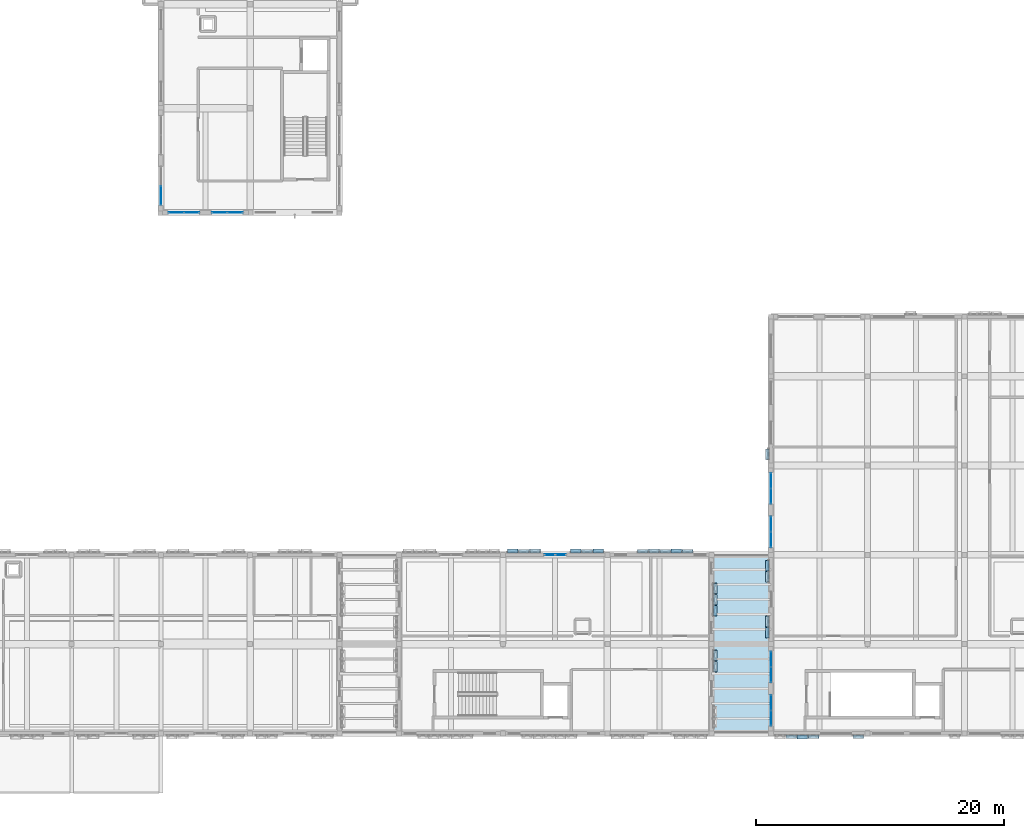
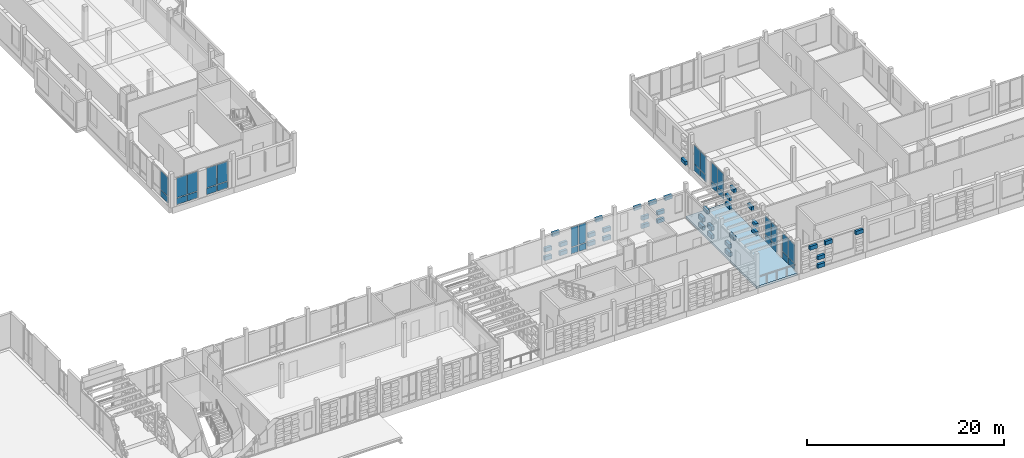
# One storey, part 49 of 99: 67 plates, 1 slab, 8 elements without a shape of their own.
"""IFC4 building model written with IfcOpenShell, lengths in metres."""

from ifc_helpers import new_model, si_unit, direction, frame, origin, origin_2d, place, context, subcontext, project, spatial, polyline, rectangle, outline, extrude, material, layer, layer_set, type_object, element, aggregate, save


model = new_model("IFC4")

# Units and contexts
model_context = context("Model", 3, precision=1e-05, world=origin(), true_north=direction((0.0, 1.0)))
body_context = subcontext(model_context, "Body", "Model", "MODEL_VIEW")
ifc_project = project(units=[si_unit("LENGTHUNIT", "METRE"), si_unit("AREAUNIT", "SQUARE_METRE"), si_unit("VOLUMEUNIT", "CUBIC_METRE"), si_unit("PLANEANGLEUNIT", "RADIAN"), si_unit("MASSUNIT", "GRAM", prefix="KILO")], contexts=[model_context])

# Site, building, storey
site_placement = place(None, origin())
site = spatial("IfcSite", under=ifc_project, at=site_placement, CompositionType="ELEMENT")
building_placement = place(site_placement, origin())
building = spatial("IfcBuilding", under=site, at=building_placement, Name="Kahlenmark Community Centre", CompositionType="ELEMENT")
storey_placement = place(building_placement, frame((0.0, 0.0, 5.39990234375)))
storey = spatial("IfcBuildingStorey", under=building, at=storey_placement, Name="L01", CompositionType="ELEMENT", Elevation=5.39990234375)

# Curtain wall, plates
ifc_material_1 = material(Name="Anodised aluminium unitised curtain wall", Category="aluminium")
curtain_wall_type_1 = type_object("IfcCurtainWallType", Name="CWT-UNIT-254X321", PredefinedType="USERDEFINED", material=ifc_material_1)
curtain_wall_1_placement = place(storey_placement, origin())
curtain_wall_1 = element("IfcCurtainWall", 1, at=curtain_wall_1_placement, inside=storey, type_object=curtain_wall_type_1, Name="Unitised curtain wall CW-052", ObjectType="UNITISED CURTAIN WALL", PredefinedType="USERDEFINED")
ifc_material_2 = material(Name="Triple low-e solar-control glass unit", Category="glass")
ifc_layer_1 = layer(ifc_material_2, 0.0439453125)
ifc_layer_set_1 = layer_set([ifc_layer_1], Name="Triple low-e solar-control glass unit")
plate_type_1 = type_object("IfcPlateType", Name="PLT-CW-GLZ-1190X2280", PredefinedType="CURTAIN_PANEL", material=ifc_layer_set_1)
plate_1_placement = place(storey_placement, frame((121.60009765625, 14.784912109375, 0.89013671875), z_axis=(0.0, 0.0, 1.0), x_axis=(0.0, -1.0, 0.0)))
plate_1 = element("IfcPlate", 2, at=plate_1_placement, type_object=plate_type_1, Name="CW-052 glazed panel 1", PredefinedType="CURTAIN_PANEL", context=body_context, shape_type="SweptSolid", body=[
    extrude(rectangle(XDim=1.18994140625, YDim=0.0439453125, at=origin_2d()), origin(), (0.0, 0.0, 1.0), 2.280029296875),
])
plate_2_placement = place(storey_placement, frame((121.60009765625, 13.514892578125, 0.89013671875), z_axis=(0.0, 0.0, 1.0), x_axis=(0.0, -1.0, 0.0)))
plate_2 = element("IfcPlate", 3, at=plate_2_placement, type_object=plate_type_1, Name="CW-052 glazed panel 2", PredefinedType="CURTAIN_PANEL", context=body_context, shape_type="SweptSolid", body=[
    extrude(rectangle(XDim=1.18994140625, YDim=0.0439453125, at=origin_2d()), origin(), (0.0, 0.0, 1.0), 2.280029296875),
])

curtain_wall_2_placement = place(storey_placement, origin())
curtain_wall_2 = element("IfcCurtainWall", 4, at=curtain_wall_2_placement, inside=storey, type_object=curtain_wall_type_1, Name="Unitised curtain wall CW-053", ObjectType="UNITISED CURTAIN WALL", PredefinedType="USERDEFINED")
plate_3_placement = place(storey_placement, frame((121.60009765625, 11.284912109375, 0.89013671875), z_axis=(0.0, 0.0, 1.0), x_axis=(0.0, -1.0, 0.0)))
plate_3 = element("IfcPlate", 5, at=plate_3_placement, type_object=plate_type_1, Name="CW-053 glazed panel 1", PredefinedType="CURTAIN_PANEL", context=body_context, shape_type="SweptSolid", body=[
    extrude(rectangle(XDim=1.18994140625, YDim=0.0439453125, at=origin_2d()), origin(), (0.0, 0.0, 1.0), 2.280029296875),
])
plate_4_placement = place(storey_placement, frame((121.60009765625, 10.014892578125, 0.89013671875), z_axis=(0.0, 0.0, 1.0), x_axis=(0.0, -1.0, 0.0)))
plate_4 = element("IfcPlate", 6, at=plate_4_placement, type_object=plate_type_1, Name="CW-053 glazed panel 2", PredefinedType="CURTAIN_PANEL", context=body_context, shape_type="SweptSolid", body=[
    extrude(rectangle(XDim=1.18994140625, YDim=0.0439453125, at=origin_2d()), origin(), (0.0, 0.0, 1.0), 2.280029296875),
])

curtain_wall_3_placement = place(storey_placement, origin())
curtain_wall_3 = element("IfcCurtainWall", 7, at=curtain_wall_3_placement, inside=storey, type_object=curtain_wall_type_1, Name="Unitised curtain wall CW-056", ObjectType="UNITISED CURTAIN WALL", PredefinedType="USERDEFINED")
plate_5_placement = place(storey_placement, frame((121.60009765625, 29.18505859375, 0.89013671875), z_axis=(0.0, 0.0, 1.0), x_axis=(0.0, -1.0, 0.0)))
plate_5 = element("IfcPlate", 8, at=plate_5_placement, type_object=plate_type_1, Name="CW-056 glazed panel 1", PredefinedType="CURTAIN_PANEL", context=body_context, shape_type="SweptSolid", body=[
    extrude(rectangle(XDim=1.18994140625, YDim=0.0439453125, at=origin_2d()), origin(), (0.0, 0.0, 1.0), 2.280029296875),
])
plate_6_placement = place(storey_placement, frame((121.60009765625, 27.9150390625, 0.89013671875), z_axis=(0.0, 0.0, 1.0), x_axis=(0.0, -1.0, 0.0)))
plate_6 = element("IfcPlate", 9, at=plate_6_placement, type_object=plate_type_1, Name="CW-056 glazed panel 2", PredefinedType="CURTAIN_PANEL", context=body_context, shape_type="SweptSolid", body=[
    extrude(rectangle(XDim=1.18994140625, YDim=0.0439453125, at=origin_2d()), origin(), (0.0, 0.0, 1.0), 2.280029296875),
])

curtain_wall_4_placement = place(storey_placement, origin())
curtain_wall_4 = element("IfcCurtainWall", 10, at=curtain_wall_4_placement, inside=storey, type_object=curtain_wall_type_1, Name="Unitised curtain wall CW-057", ObjectType="UNITISED CURTAIN WALL", PredefinedType="USERDEFINED")
plate_7_placement = place(storey_placement, frame((121.60009765625, 25.68505859375, 0.89013671875), z_axis=(0.0, 0.0, 1.0), x_axis=(0.0, -1.0, 0.0)))
plate_7 = element("IfcPlate", 11, at=plate_7_placement, type_object=plate_type_1, Name="CW-057 glazed panel 1", PredefinedType="CURTAIN_PANEL", context=body_context, shape_type="SweptSolid", body=[
    extrude(rectangle(XDim=1.18994140625, YDim=0.0439453125, at=origin_2d()), origin(), (0.0, 0.0, 1.0), 2.280029296875),
])
plate_8_placement = place(storey_placement, frame((121.60009765625, 24.4150390625, 0.89013671875), z_axis=(0.0, 0.0, 1.0), x_axis=(0.0, -1.0, 0.0)))
plate_8 = element("IfcPlate", 12, at=plate_8_placement, type_object=plate_type_1, Name="CW-057 glazed panel 2", PredefinedType="CURTAIN_PANEL", context=body_context, shape_type="SweptSolid", body=[
    extrude(rectangle(XDim=1.18994140625, YDim=0.0439453125, at=origin_2d()), origin(), (0.0, 0.0, 1.0), 2.280029296875),
])

curtain_wall_type_2 = type_object("IfcCurtainWallType", Name="CWT-UNIT-254X337", PredefinedType="USERDEFINED", material=ifc_material_1)
curtain_wall_5_placement = place(storey_placement, origin())
curtain_wall_5 = element("IfcCurtainWall", 13, at=curtain_wall_5_placement, inside=storey, type_object=curtain_wall_type_2, Name="Unitised curtain wall CW-040", ObjectType="UNITISED CURTAIN WALL", PredefinedType="USERDEFINED")
ifc_layer_2 = layer(ifc_material_2, 0.0439453125)
ifc_layer_set_2 = layer_set([ifc_layer_2], Name="Triple low-e solar-control glass unit")
plate_type_2 = type_object("IfcPlateType", Name="PLT-CW-GLZ-1190X2440", PredefinedType="CURTAIN_PANEL", material=ifc_layer_set_2)
plate_9_placement = place(storey_placement, frame((73.614990234375, 50.800048828125, 0.89013671875), z_axis=(0.0, 0.0, 1.0), x_axis=(1.0, 0.0, 0.0)))
plate_9 = element("IfcPlate", 14, at=plate_9_placement, type_object=plate_type_2, Name="CW-040 glazed panel 1", PredefinedType="CURTAIN_PANEL", context=body_context, shape_type="SweptSolid", body=[
    extrude(rectangle(XDim=1.18994140625, YDim=0.0439453125, at=origin_2d()), origin(), (0.0, 0.0, 1.0), 2.43994140625),
])
plate_10_placement = place(storey_placement, frame((74.885009765625, 50.800048828125, 0.89013671875), z_axis=(0.0, 0.0, 1.0), x_axis=(1.0, 0.0, 0.0)))
plate_10 = element("IfcPlate", 15, at=plate_10_placement, type_object=plate_type_2, Name="CW-040 glazed panel 2", PredefinedType="CURTAIN_PANEL", context=body_context, shape_type="SweptSolid", body=[
    extrude(rectangle(XDim=1.18994140625, YDim=0.0439453125, at=origin_2d()), origin(), (0.0, 0.0, 1.0), 2.43994140625),
])

curtain_wall_6_placement = place(storey_placement, origin())
curtain_wall_6 = element("IfcCurtainWall", 16, at=curtain_wall_6_placement, inside=storey, type_object=curtain_wall_type_2, Name="Unitised curtain wall CW-041", ObjectType="UNITISED CURTAIN WALL", PredefinedType="USERDEFINED")
plate_11_placement = place(storey_placement, frame((77.114990234375, 50.800048828125, 0.89013671875), z_axis=(0.0, 0.0, 1.0), x_axis=(1.0, 0.0, 0.0)))
plate_11 = element("IfcPlate", 17, at=plate_11_placement, type_object=plate_type_2, Name="CW-041 glazed panel 1", PredefinedType="CURTAIN_PANEL", context=body_context, shape_type="SweptSolid", body=[
    extrude(rectangle(XDim=1.18994140625, YDim=0.0439453125, at=origin_2d()), origin(), (0.0, 0.0, 1.0), 2.43994140625),
])
plate_12_placement = place(storey_placement, frame((78.385009765625, 50.800048828125, 0.89013671875), z_axis=(0.0, 0.0, 1.0), x_axis=(1.0, 0.0, 0.0)))
plate_12 = element("IfcPlate", 18, at=plate_12_placement, type_object=plate_type_2, Name="CW-041 glazed panel 2", PredefinedType="CURTAIN_PANEL", context=body_context, shape_type="SweptSolid", body=[
    extrude(rectangle(XDim=1.18994140625, YDim=0.0439453125, at=origin_2d()), origin(), (0.0, 0.0, 1.0), 2.43994140625),
])

# Curtain wall, plate
curtain_wall_type_3 = type_object("IfcCurtainWallType", Name="CWT-UNIT-314X325", PredefinedType="USERDEFINED", material=ifc_material_1)
curtain_wall_7_placement = place(storey_placement, origin())
curtain_wall_7 = element("IfcCurtainWall", 19, at=curtain_wall_7_placement, inside=storey, type_object=curtain_wall_type_3, Name="Unitised curtain wall CW-043", ObjectType="UNITISED CURTAIN WALL", PredefinedType="USERDEFINED")
ifc_layer_3 = layer(ifc_material_2, 0.0439453125)
ifc_layer_set_3 = layer_set([ifc_layer_3], Name="Triple low-e solar-control glass unit")
plate_type_3 = type_object("IfcPlateType", Name="PLT-CW-GLZ-1490X2320", PredefinedType="CURTAIN_PANEL", material=ifc_layer_set_3)
plate_13_placement = place(storey_placement, frame((72.39990234375, 52.1650390625, 0.89013671875), z_axis=(0.0, 0.0, 1.0), x_axis=(0.0, -1.0, 0.0)))
plate_13 = element("IfcPlate", 20, at=plate_13_placement, type_object=plate_type_3, Name="CW-043 glazed panel 2", PredefinedType="CURTAIN_PANEL", context=body_context, shape_type="SweptSolid", body=[
    extrude(rectangle(XDim=1.489990234375, YDim=0.0439453125, at=origin_2d()), origin(), (0.0, 0.0, 1.0), 2.320068359375),
])

# Curtain wall, plates
curtain_wall_type_4 = type_object("IfcCurtainWallType", Name="CWT-UNIT-180X337", PredefinedType="USERDEFINED", material=ifc_material_1)
curtain_wall_8_placement = place(storey_placement, origin())
curtain_wall_8 = element("IfcCurtainWall", 21, at=curtain_wall_8_placement, inside=storey, type_object=curtain_wall_type_4, Name="Unitised curtain wall CW-048", ObjectType="UNITISED CURTAIN WALL", PredefinedType="USERDEFINED")
ifc_layer_4 = layer(ifc_material_2, 0.0439453125)
ifc_layer_set_4 = layer_set([ifc_layer_4], Name="Triple low-e solar-control glass unit")
plate_type_4 = type_object("IfcPlateType", Name="PLT-CW-GLZ-820X2440", PredefinedType="CURTAIN_PANEL", material=ifc_layer_set_4)
plate_14_placement = place(storey_placement, frame((104.64990234375, 23.199951171875, 0.89013671875), z_axis=(0.0, 0.0, 1.0), x_axis=(-1.0, 0.0, 0.0)))
plate_14 = element("IfcPlate", 22, at=plate_14_placement, type_object=plate_type_4, Name="CW-048 glazed panel 1", PredefinedType="CURTAIN_PANEL", context=body_context, shape_type="SweptSolid", body=[
    extrude(rectangle(XDim=0.820068359375, YDim=0.0439453125, at=origin_2d()), origin(), (0.0, 0.0, 1.0), 2.43994140625),
])
plate_15_placement = place(storey_placement, frame((103.75, 23.199951171875, 0.89013671875), z_axis=(0.0, 0.0, 1.0), x_axis=(-1.0, 0.0, 0.0)))
plate_15 = element("IfcPlate", 23, at=plate_15_placement, type_object=plate_type_4, Name="CW-048 glazed panel 2", PredefinedType="CURTAIN_PANEL", context=body_context, shape_type="SweptSolid", body=[
    extrude(rectangle(XDim=0.820068359375, YDim=0.0439453125, at=origin_2d()), origin(), (0.0, 0.0, 1.0), 2.43994140625),
])

# Plate
ifc_material_3 = material(Name="Warm terracotta insulated spandrel cassette", Category="masonry")
ifc_layer_5 = layer(ifc_material_3, 0.06005859375)
ifc_layer_set_5 = layer_set([ifc_layer_5], Name="Warm terracotta insulated spandrel cassette")
plate_type_5 = type_object("IfcPlateType", Name="PLT-CW-SPD-1190X770", PredefinedType="CURTAIN_PANEL", material=ifc_layer_set_5)
plate_16_placement = place(storey_placement, frame((73.614990234375, 50.800048828125, 0.0400390625), z_axis=(0.0, 0.0, 1.0), x_axis=(1.0, 0.0, 0.0)))
plate_16 = element("IfcPlate", 24, at=plate_16_placement, type_object=plate_type_5, Name="CW-040 spandrel 1", PredefinedType="CURTAIN_PANEL", context=body_context, shape_type="SweptSolid", body=[
    extrude(rectangle(XDim=1.18994140625, YDim=0.06005859375, at=origin_2d()), origin(), (0.0, 0.0, 1.0), 0.77001953125),
])

plate_17_placement = place(storey_placement, frame((74.885009765625, 50.800048828125, 0.0400390625), z_axis=(0.0, 0.0, 1.0), x_axis=(1.0, 0.0, 0.0)))
plate_17 = element("IfcPlate", 25, at=plate_17_placement, type_object=plate_type_5, Name="CW-040 spandrel 2", PredefinedType="CURTAIN_PANEL", context=body_context, shape_type="SweptSolid", body=[
    extrude(rectangle(XDim=1.18994140625, YDim=0.06005859375, at=origin_2d()), origin(), (0.0, 0.0, 1.0), 0.77001953125),
])

aggregate(curtain_wall_5, [plate_16, plate_9, plate_17, plate_10])

plate_18_placement = place(storey_placement, frame((77.114990234375, 50.800048828125, 0.0400390625), z_axis=(0.0, 0.0, 1.0), x_axis=(1.0, 0.0, 0.0)))
plate_18 = element("IfcPlate", 26, at=plate_18_placement, type_object=plate_type_5, Name="CW-041 spandrel 1", PredefinedType="CURTAIN_PANEL", context=body_context, shape_type="SweptSolid", body=[
    extrude(rectangle(XDim=1.18994140625, YDim=0.06005859375, at=origin_2d()), origin(), (0.0, 0.0, 1.0), 0.77001953125),
])

plate_19_placement = place(storey_placement, frame((78.385009765625, 50.800048828125, 0.0400390625), z_axis=(0.0, 0.0, 1.0), x_axis=(1.0, 0.0, 0.0)))
plate_19 = element("IfcPlate", 27, at=plate_19_placement, type_object=plate_type_5, Name="CW-041 spandrel 2", PredefinedType="CURTAIN_PANEL", context=body_context, shape_type="SweptSolid", body=[
    extrude(rectangle(XDim=1.18994140625, YDim=0.06005859375, at=origin_2d()), origin(), (0.0, 0.0, 1.0), 0.77001953125),
])

aggregate(curtain_wall_6, [plate_18, plate_11, plate_19, plate_12])

plate_20_placement = place(storey_placement, frame((121.60009765625, 14.784912109375, 0.0400390625), z_axis=(0.0, 0.0, 1.0), x_axis=(0.0, -1.0, 0.0)))
plate_20 = element("IfcPlate", 28, at=plate_20_placement, type_object=plate_type_5, Name="CW-052 spandrel 1", PredefinedType="CURTAIN_PANEL", context=body_context, shape_type="SweptSolid", body=[
    extrude(rectangle(XDim=1.18994140625, YDim=0.06005859375, at=origin_2d()), origin(), (0.0, 0.0, 1.0), 0.77001953125),
])

plate_21_placement = place(storey_placement, frame((121.60009765625, 13.514892578125, 0.0400390625), z_axis=(0.0, 0.0, 1.0), x_axis=(0.0, -1.0, 0.0)))
plate_21 = element("IfcPlate", 29, at=plate_21_placement, type_object=plate_type_5, Name="CW-052 spandrel 2", PredefinedType="CURTAIN_PANEL", context=body_context, shape_type="SweptSolid", body=[
    extrude(rectangle(XDim=1.18994140625, YDim=0.06005859375, at=origin_2d()), origin(), (0.0, 0.0, 1.0), 0.77001953125),
])

aggregate(curtain_wall_1, [plate_20, plate_1, plate_21, plate_2])

plate_22_placement = place(storey_placement, frame((121.60009765625, 11.284912109375, 0.0400390625), z_axis=(0.0, 0.0, 1.0), x_axis=(0.0, -1.0, 0.0)))
plate_22 = element("IfcPlate", 30, at=plate_22_placement, type_object=plate_type_5, Name="CW-053 spandrel 1", PredefinedType="CURTAIN_PANEL", context=body_context, shape_type="SweptSolid", body=[
    extrude(rectangle(XDim=1.18994140625, YDim=0.06005859375, at=origin_2d()), origin(), (0.0, 0.0, 1.0), 0.77001953125),
])

plate_23_placement = place(storey_placement, frame((121.60009765625, 10.014892578125, 0.0400390625), z_axis=(0.0, 0.0, 1.0), x_axis=(0.0, -1.0, 0.0)))
plate_23 = element("IfcPlate", 31, at=plate_23_placement, type_object=plate_type_5, Name="CW-053 spandrel 2", PredefinedType="CURTAIN_PANEL", context=body_context, shape_type="SweptSolid", body=[
    extrude(rectangle(XDim=1.18994140625, YDim=0.06005859375, at=origin_2d()), origin(), (0.0, 0.0, 1.0), 0.77001953125),
])

aggregate(curtain_wall_2, [plate_22, plate_3, plate_23, plate_4])

plate_24_placement = place(storey_placement, frame((121.60009765625, 29.18505859375, 0.0400390625), z_axis=(0.0, 0.0, 1.0), x_axis=(0.0, -1.0, 0.0)))
plate_24 = element("IfcPlate", 32, at=plate_24_placement, type_object=plate_type_5, Name="CW-056 spandrel 1", PredefinedType="CURTAIN_PANEL", context=body_context, shape_type="SweptSolid", body=[
    extrude(rectangle(XDim=1.18994140625, YDim=0.06005859375, at=origin_2d()), origin(), (0.0, 0.0, 1.0), 0.77001953125),
])

plate_25_placement = place(storey_placement, frame((121.60009765625, 27.9150390625, 0.0400390625), z_axis=(0.0, 0.0, 1.0), x_axis=(0.0, -1.0, 0.0)))
plate_25 = element("IfcPlate", 33, at=plate_25_placement, type_object=plate_type_5, Name="CW-056 spandrel 2", PredefinedType="CURTAIN_PANEL", context=body_context, shape_type="SweptSolid", body=[
    extrude(rectangle(XDim=1.18994140625, YDim=0.06005859375, at=origin_2d()), origin(), (0.0, 0.0, 1.0), 0.77001953125),
])

aggregate(curtain_wall_3, [plate_24, plate_5, plate_25, plate_6])

plate_26_placement = place(storey_placement, frame((121.60009765625, 25.68505859375, 0.0400390625), z_axis=(0.0, 0.0, 1.0), x_axis=(0.0, -1.0, 0.0)))
plate_26 = element("IfcPlate", 34, at=plate_26_placement, type_object=plate_type_5, Name="CW-057 spandrel 1", PredefinedType="CURTAIN_PANEL", context=body_context, shape_type="SweptSolid", body=[
    extrude(rectangle(XDim=1.18994140625, YDim=0.06005859375, at=origin_2d()), origin(), (0.0, 0.0, 1.0), 0.77001953125),
])

plate_27_placement = place(storey_placement, frame((121.60009765625, 24.4150390625, 0.0400390625), z_axis=(0.0, 0.0, 1.0), x_axis=(0.0, -1.0, 0.0)))
plate_27 = element("IfcPlate", 35, at=plate_27_placement, type_object=plate_type_5, Name="CW-057 spandrel 2", PredefinedType="CURTAIN_PANEL", context=body_context, shape_type="SweptSolid", body=[
    extrude(rectangle(XDim=1.18994140625, YDim=0.06005859375, at=origin_2d()), origin(), (0.0, 0.0, 1.0), 0.77001953125),
])

aggregate(curtain_wall_4, [plate_26, plate_7, plate_27, plate_8])

ifc_layer_6 = layer(ifc_material_3, 0.06005859375)
ifc_layer_set_6 = layer_set([ifc_layer_6], Name="Warm terracotta insulated spandrel cassette")
plate_type_6 = type_object("IfcPlateType", Name="PLT-CW-SPD-1490X770", PredefinedType="CURTAIN_PANEL", material=ifc_layer_set_6)
plate_28_placement = place(storey_placement, frame((72.39990234375, 52.1650390625, 0.0400390625), z_axis=(0.0, 0.0, 1.0), x_axis=(0.0, -1.0, 0.0)))
plate_28 = element("IfcPlate", 36, at=plate_28_placement, type_object=plate_type_6, Name="CW-043 spandrel 2", PredefinedType="CURTAIN_PANEL", context=body_context, shape_type="SweptSolid", body=[
    extrude(rectangle(XDim=1.489990234375, YDim=0.06005859375, at=origin_2d()), origin(), (0.0, 0.0, 1.0), 0.77001953125),
])

aggregate(curtain_wall_7, [plate_28, plate_13])

ifc_layer_7 = layer(ifc_material_3, 0.06005859375)
ifc_layer_set_7 = layer_set([ifc_layer_7], Name="Warm terracotta insulated spandrel cassette")
plate_type_7 = type_object("IfcPlateType", Name="PLT-CW-SPD-820X770", PredefinedType="CURTAIN_PANEL", material=ifc_layer_set_7)
plate_29_placement = place(storey_placement, frame((104.64990234375, 23.199951171875, 0.0400390625), z_axis=(0.0, 0.0, 1.0), x_axis=(-1.0, 0.0, 0.0)))
plate_29 = element("IfcPlate", 37, at=plate_29_placement, type_object=plate_type_7, Name="CW-048 spandrel 1", PredefinedType="CURTAIN_PANEL", context=body_context, shape_type="SweptSolid", body=[
    extrude(rectangle(XDim=0.820068359375, YDim=0.06005859375, at=origin_2d()), origin(), (0.0, 0.0, 1.0), 0.77001953125),
])

plate_30_placement = place(storey_placement, frame((103.75, 23.199951171875, 0.0400390625), z_axis=(0.0, 0.0, 1.0), x_axis=(-1.0, 0.0, 0.0)))
plate_30 = element("IfcPlate", 38, at=plate_30_placement, type_object=plate_type_7, Name="CW-048 spandrel 2", PredefinedType="CURTAIN_PANEL", context=body_context, shape_type="SweptSolid", body=[
    extrude(rectangle(XDim=0.820068359375, YDim=0.06005859375, at=origin_2d()), origin(), (0.0, 0.0, 1.0), 0.77001953125),
])

aggregate(curtain_wall_8, [plate_29, plate_14, plate_30, plate_15])

# Plates
ifc_material_4 = material(Name="Extruded glazed terracotta weave cassette", Category="masonry")
ifc_layer_8 = layer(ifc_material_4, 0.300048828125)
ifc_layer_set_8 = layer_set([ifc_layer_8], Name="Extruded glazed terracotta weave cassette")
plate_type_8 = type_object("IfcPlateType", Name="PLT-TC-TC-R34-840X300X468", PredefinedType="SHEET", material=ifc_layer_set_8)
for number, where, z_axis, x_axis, name in (
    (39, (113.969970703125, 23.5, 1.1162109375), (0.0, 0.0, 1.0), (-1.0, 0.0, 0.0), "Basketweave terracotta cassette 1429"),
    (40, (112.169921875, 23.5, 1.1162109375), (0.0, 0.0, 1.0), (-1.0, 0.0, 0.0), "Basketweave terracotta cassette 1441"),
    (41, (117.10009765625, 15.080078125, 1.1162109375), (0.0, 0.0, 1.0), (0.0, 1.0, 0.0), "Basketweave terracotta cassette 1519"),
    (42, (117.10009765625, 18.679931640625, 1.1162109375), (0.0, 0.0, 1.0), (0.0, 1.0, 0.0), "Basketweave terracotta cassette 1525"),
    (43, (117.10009765625, 20.47998046875, 1.1162109375), (0.0, 0.0, 1.0), (0.0, 1.0, 0.0), "Basketweave terracotta cassette 1537"),
    (44, (124.1298828125, 8.5, 1.1162109375), (0.0, 0.0, 1.0), (1.0, 0.0, 0.0), "Basketweave terracotta cassette 1555"),
    (45, (121.300048828125, 22.320068359375, 1.1162109375), (0.0, 0.0, 1.0), (0.0, -1.0, 0.0), "Basketweave terracotta cassette 1664"),
    (46, (121.300048828125, 16.919921875, 1.1162109375), (0.0, 0.0, 1.0), (0.0, -1.0, 0.0), "Basketweave terracotta cassette 1682"),
):
    element("IfcPlate", number, at=place(storey_placement, frame(where, z_axis=z_axis, x_axis=x_axis)), inside=storey, type_object=plate_type_8, Name=name, PredefinedType="SHEET", context=body_context, shape_type="SweptSolid", body=[
        extrude(rectangle(XDim=0.840087890625, YDim=0.300048828125, at=origin_2d()), origin(), (0.0, 0.0, 1.0), 0.468017578125),
    ])
ifc_layer_9 = layer(ifc_material_4, 0.300048828125)
ifc_layer_set_9 = layer_set([ifc_layer_9], Name="Extruded glazed terracotta weave cassette")
plate_type_9 = type_object("IfcPlateType", Name="PLT-TC-TC-R34-840X300X495", PredefinedType="SHEET", material=ifc_layer_set_9)
for number, where, z_axis, x_axis, name in (
    (47, (107.669921875, 23.5, 1.169921875), (0.0, 0.0, 1.0), (-1.0, 0.0, 0.0), "Basketweave terracotta cassette 1387"),
    (48, (105.8701171875, 23.5, 1.169921875), (0.0, 0.0, 1.0), (-1.0, 0.0, 0.0), "Basketweave terracotta cassette 1399"),
    (49, (102.570068359375, 23.5, 1.169921875), (0.0, 0.0, 1.0), (-1.0, 0.0, 0.0), "Basketweave terracotta cassette 1405"),
    (50, (100.77001953125, 23.5, 1.169921875), (0.0, 0.0, 1.0), (-1.0, 0.0, 0.0), "Basketweave terracotta cassette 1417"),
):
    element("IfcPlate", number, at=place(storey_placement, frame(where, z_axis=z_axis, x_axis=x_axis)), inside=storey, type_object=plate_type_9, Name=name, PredefinedType="SHEET", context=body_context, shape_type="SweptSolid", body=[
        extrude(rectangle(XDim=0.840087890625, YDim=0.300048828125, at=origin_2d()), origin(), (0.0, 0.0, 1.0), 0.4951171875),
    ])
ifc_layer_10 = layer(ifc_material_4, 0.300048828125)
ifc_layer_set_10 = layer_set([ifc_layer_10], Name="Extruded glazed terracotta weave cassette")
plate_type_10 = type_object("IfcPlateType", Name="PLT-TC-TC-R34-860X300X450", PredefinedType="SHEET", material=ifc_layer_set_10)
plate_31_placement = place(storey_placement, frame((121.300048828125, 31.320068359375, 0.10009765625), z_axis=(0.0, 0.0, 1.0), x_axis=(0.0, -1.0, 0.0)))
element("IfcPlate", 51, at=plate_31_placement, inside=storey, type_object=plate_type_10, Name="Basketweave terracotta cassette 1742", PredefinedType="SHEET", context=body_context, shape_type="SweptSolid", body=[
    extrude(rectangle(XDim=0.860107421875, YDim=0.300048828125, at=origin_2d()), origin(), (0.0, 0.0, 1.0), 0.449951171875),
])
ifc_layer_11 = layer(ifc_material_4, 0.300048828125)
ifc_layer_set_11 = layer_set([ifc_layer_11], Name="Extruded glazed terracotta weave cassette")
plate_type_11 = type_object("IfcPlateType", Name="PLT-TC-TC-R34-860X300X468", PredefinedType="SHEET", material=ifc_layer_set_11)
for number, where, z_axis, x_axis, name in (
    (52, (113.969970703125, 23.5, 0.10009765625), (0.0, 0.0, 1.0), (-1.0, 0.0, 0.0), "Basketweave terracotta cassette 1427"),
    (53, (112.169921875, 23.5, 0.10009765625), (0.0, 0.0, 1.0), (-1.0, 0.0, 0.0), "Basketweave terracotta cassette 1439"),
    (54, (117.10009765625, 15.080078125, 0.10009765625), (0.0, 0.0, 1.0), (0.0, 1.0, 0.0), "Basketweave terracotta cassette 1517"),
    (55, (117.10009765625, 18.679931640625, 0.10009765625), (0.0, 0.0, 1.0), (0.0, 1.0, 0.0), "Basketweave terracotta cassette 1523"),
    (56, (117.10009765625, 20.47998046875, 0.10009765625), (0.0, 0.0, 1.0), (0.0, 1.0, 0.0), "Basketweave terracotta cassette 1535"),
    (57, (124.1298828125, 8.5, 0.10009765625), (0.0, 0.0, 1.0), (1.0, 0.0, 0.0), "Basketweave terracotta cassette 1553"),
    (58, (121.300048828125, 22.320068359375, 0.10009765625), (0.0, 0.0, 1.0), (0.0, -1.0, 0.0), "Basketweave terracotta cassette 1662"),
    (59, (121.300048828125, 16.919921875, 0.10009765625), (0.0, 0.0, 1.0), (0.0, -1.0, 0.0), "Basketweave terracotta cassette 1680"),
):
    element("IfcPlate", number, at=place(storey_placement, frame(where, z_axis=z_axis, x_axis=x_axis)), inside=storey, type_object=plate_type_11, Name=name, PredefinedType="SHEET", context=body_context, shape_type="SweptSolid", body=[
        extrude(rectangle(XDim=0.860107421875, YDim=0.300048828125, at=origin_2d()), origin(), (0.0, 0.0, 1.0), 0.468017578125),
    ])
ifc_layer_12 = layer(ifc_material_4, 0.300048828125)
ifc_layer_set_12 = layer_set([ifc_layer_12], Name="Extruded glazed terracotta weave cassette")
plate_type_12 = type_object("IfcPlateType", Name="PLT-TC-TC-R34-860X300X495", PredefinedType="SHEET", material=ifc_layer_set_12)
for number, where, z_axis, x_axis, name in (
    (60, (107.669921875, 23.5, 0.10009765625), (0.0, 0.0, 1.0), (-1.0, 0.0, 0.0), "Basketweave terracotta cassette 1385"),
    (61, (105.8701171875, 23.5, 0.10009765625), (0.0, 0.0, 1.0), (-1.0, 0.0, 0.0), "Basketweave terracotta cassette 1397"),
    (62, (102.570068359375, 23.5, 0.10009765625), (0.0, 0.0, 1.0), (-1.0, 0.0, 0.0), "Basketweave terracotta cassette 1403"),
    (63, (100.77001953125, 23.5, 0.10009765625), (0.0, 0.0, 1.0), (-1.0, 0.0, 0.0), "Basketweave terracotta cassette 1415"),
):
    element("IfcPlate", number, at=place(storey_placement, frame(where, z_axis=z_axis, x_axis=x_axis)), inside=storey, type_object=plate_type_12, Name=name, PredefinedType="SHEET", context=body_context, shape_type="SweptSolid", body=[
        extrude(rectangle(XDim=0.860107421875, YDim=0.300048828125, at=origin_2d()), origin(), (0.0, 0.0, 1.0), 0.4951171875),
    ])
ifc_layer_13 = layer(ifc_material_4, 0.280029296875)
ifc_layer_set_13 = layer_set([ifc_layer_13], Name="Extruded glazed terracotta weave cassette")
plate_type_13 = type_object("IfcPlateType", Name="PLT-TC-TC-W30-860X280X468", PredefinedType="SHEET", material=ifc_layer_set_13)
for number, where, z_axis, x_axis, name in (
    (64, (114.8701171875, 23.489990234375, 2.64013671875), (0.0, 0.0, 1.0), (-1.0, 0.0, 0.0), "Basketweave terracotta cassette 1426"),
    (65, (113.070068359375, 23.489990234375, 2.64013671875), (0.0, 0.0, 1.0), (-1.0, 0.0, 0.0), "Basketweave terracotta cassette 1438"),
    (66, (111.27001953125, 23.489990234375, 2.64013671875), (0.0, 0.0, 1.0), (-1.0, 0.0, 0.0), "Basketweave terracotta cassette 1450"),
    (67, (117.090087890625, 14.179931640625, 2.64013671875), (0.0, 0.0, 1.0), (0.0, 1.0, 0.0), "Basketweave terracotta cassette 1516"),
    (68, (117.090087890625, 19.580078125, 2.64013671875), (0.0, 0.0, 1.0), (0.0, 1.0, 0.0), "Basketweave terracotta cassette 1534"),
    (69, (123.22998046875, 8.510009765625, 2.64013671875), (0.0, 0.0, 1.0), (1.0, 0.0, 0.0), "Basketweave terracotta cassette 1552"),
    (70, (125.030029296875, 8.510009765625, 2.64013671875), (0.0, 0.0, 1.0), (1.0, 0.0, 0.0), "Basketweave terracotta cassette 1564"),
    (71, (128.6298828125, 8.510009765625, 2.64013671875), (0.0, 0.0, 1.0), (1.0, 0.0, 0.0), "Basketweave terracotta cassette 1570"),
    (72, (121.31005859375, 21.419921875, 2.64013671875), (0.0, 0.0, 1.0), (0.0, -1.0, 0.0), "Basketweave terracotta cassette 1673"),
    (73, (121.31005859375, 17.820068359375, 2.64013671875), (0.0, 0.0, 1.0), (0.0, -1.0, 0.0), "Basketweave terracotta cassette 1679"),
):
    element("IfcPlate", number, at=place(storey_placement, frame(where, z_axis=z_axis, x_axis=x_axis)), inside=storey, type_object=plate_type_13, Name=name, PredefinedType="SHEET", context=body_context, shape_type="SweptSolid", body=[
        extrude(rectangle(XDim=0.860107421875, YDim=0.280029296875, at=origin_2d()), origin(), (0.0, 0.0, 1.0), 0.468017578125),
    ])
ifc_layer_14 = layer(ifc_material_4, 0.280029296875)
ifc_layer_set_14 = layer_set([ifc_layer_14], Name="Extruded glazed terracotta weave cassette")
plate_type_14 = type_object("IfcPlateType", Name="PLT-TC-TC-W30-860X280X495", PredefinedType="SHEET", material=ifc_layer_set_14)
for number, where, z_axis, x_axis, name in (
    (74, (106.77001953125, 23.489990234375, 2.775146484375), (0.0, 0.0, 1.0), (-1.0, 0.0, 0.0), "Basketweave terracotta cassette 1396"),
    (75, (101.669921875, 23.489990234375, 2.775146484375), (0.0, 0.0, 1.0), (-1.0, 0.0, 0.0), "Basketweave terracotta cassette 1414"),
):
    element("IfcPlate", number, at=place(storey_placement, frame(where, z_axis=z_axis, x_axis=x_axis)), inside=storey, type_object=plate_type_14, Name=name, PredefinedType="SHEET", context=body_context, shape_type="SweptSolid", body=[
        extrude(rectangle(XDim=0.860107421875, YDim=0.280029296875, at=origin_2d()), origin(), (0.0, 0.0, 1.0), 0.4951171875),
    ])

# Slab
ifc_material_5 = material(Name="Concrete C35/45", Category="concrete")
ifc_layer_15 = layer(ifc_material_5, 0.260009765625)
ifc_layer_set_15 = layer_set([ifc_layer_15], Name="Concrete C35/45")
slab_type = type_object("IfcSlabType", Name="ST-TER-RC260", PredefinedType="FLOOR", material=ifc_layer_set_15)
slab_placement = place(storey_placement, frame((0.0, 0.0, -0.260009765625)))
element("IfcSlab", 76, at=slab_placement, inside=storey, type_object=slab_type, Name="Podium outdoor terrace TER-L01-EAST2", PredefinedType="FLOOR", context=body_context, shape_type="SweptSolid", body=[
    extrude(outline(polyline([(116.800048828125, 8.800048828125), (121.60009765625, 8.800048828125), (121.60009765625, 23.199951171875), (116.800048828125, 23.199951171875), (116.800048828125, 8.800048828125)])), origin(), (0.0, 0.0, 1.0), 0.260009765625),
])

save(model, "model.ifc")
